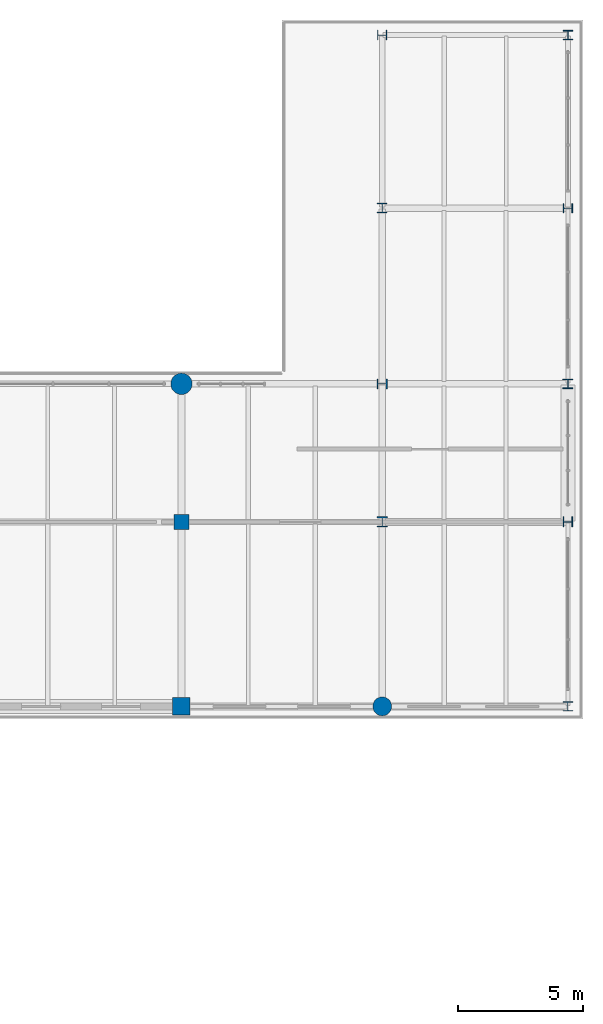
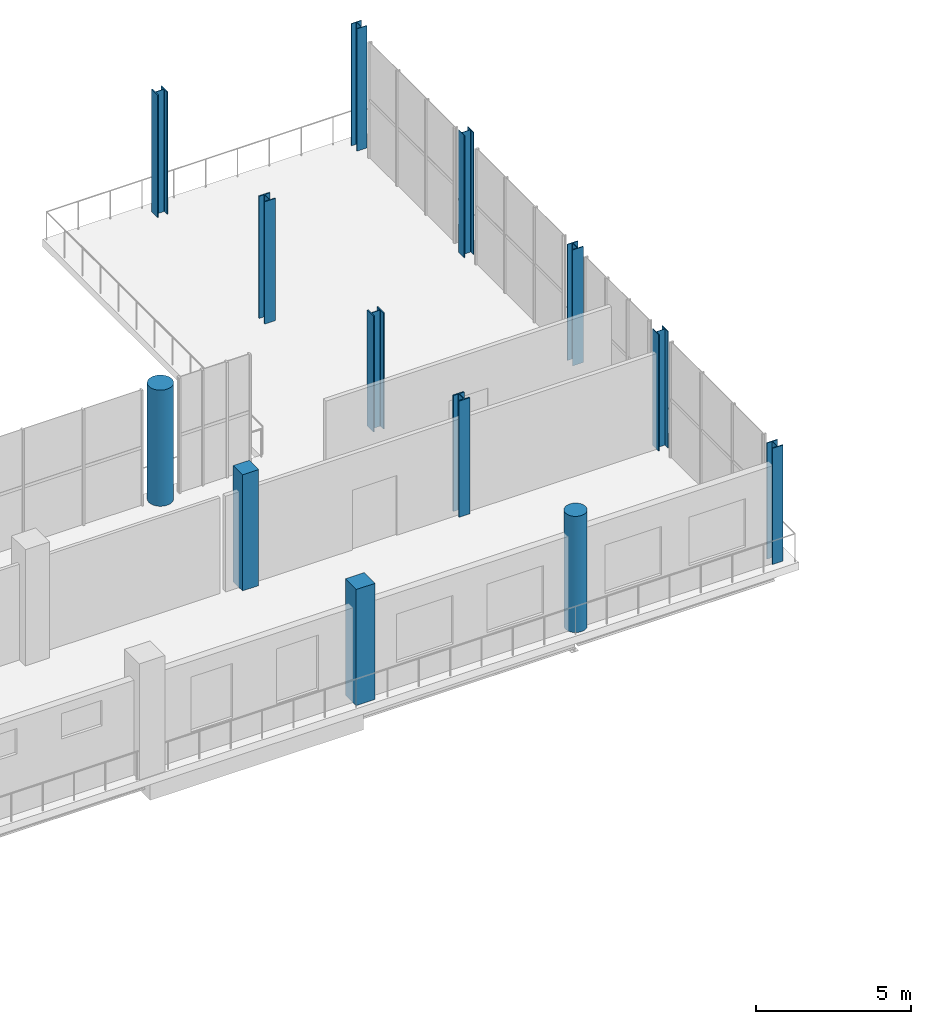
# One storey, part 19 of 70: 13 columns.
"""IFC4 building model written with IfcOpenShell, lengths in metres."""

from ifc_helpers import new_model, si_unit, direction, frame, origin, origin_2d, place, context, subcontext, project, spatial, rectangle, circle, i_section, extrude, material, material_profile, profile_set, type_object, element, save


model = new_model("IFC4")

# Units and contexts
model_context = context("Model", 3, precision=1e-05, world=origin(), true_north=direction((0.0, 1.0)))
body_context = subcontext(model_context, "Body", "Model", "MODEL_VIEW")
ifc_project = project(units=[si_unit("LENGTHUNIT", "METRE"), si_unit("AREAUNIT", "SQUARE_METRE"), si_unit("VOLUMEUNIT", "CUBIC_METRE"), si_unit("PLANEANGLEUNIT", "RADIAN"), si_unit("MASSUNIT", "GRAM", prefix="KILO")], contexts=[model_context])

# Site, building, storey
site_placement = place(None, origin())
site = spatial("IfcSite", under=ifc_project, at=site_placement, CompositionType="ELEMENT")
building_placement = place(site_placement, origin())
building = spatial("IfcBuilding", under=site, at=building_placement, Name="Brisemont Oceanarium", CompositionType="ELEMENT")
storey_placement = place(building_placement, frame((0.0, 0.0, 10.199951171875)))
storey = spatial("IfcBuildingStorey", under=building, at=storey_placement, Name="L02", CompositionType="ELEMENT", Elevation=10.199951171875)

# Columns
ifc_material_1 = material(Name="Concrete C35/45", Category="concrete")
ifc_material_profile_1 = material_profile(ifc_material_1, rectangle(XDim=0.60009765625, YDim=0.60009765625, at=origin_2d()), Name="RC-COL-600X600")
ifc_profile_set_1 = profile_set([ifc_material_profile_1], Name="Concrete C35/45")
column_type_1 = type_object("IfcColumnType", Name="COL-RC600", PredefinedType="COLUMN", material=ifc_profile_set_1)
column_1_placement = place(storey_placement, frame((144.0, 88.0, 0.0), z_axis=(0.0, 0.0, 1.0), x_axis=(0.0, 1.0, 0.0)))
element("IfcColumn", 1, at=column_1_placement, inside=storey, type_object=column_type_1, Name="V6 L02 column (4,1)", PredefinedType="COLUMN", context=body_context, shape_type="SweptSolid", body=[
    extrude(rectangle(XDim=0.60009765625, YDim=0.60009765625, at=origin_2d()), origin(), (0.0, 0.0, 1.0), 4.56005859375),
])
ifc_material_2 = material(Name="Concrete C35/45", Category="concrete")
ifc_material_profile_2 = material_profile(ifc_material_2, rectangle(XDim=0.699951171875, YDim=0.699951171875, at=origin_2d()), Name="RC-COL-700X700")
ifc_profile_set_2 = profile_set([ifc_material_profile_2], Name="Concrete C35/45")
column_type_2 = type_object("IfcColumnType", Name="COL-RC700", PredefinedType="COLUMN", material=ifc_profile_set_2)
column_2_placement = place(storey_placement, frame((144.0, 80.64990234375, 0.0), z_axis=(0.0, 0.0, 1.0), x_axis=(1.0, 0.0, 0.0)))
element("IfcColumn", 2, at=column_2_placement, inside=storey, type_object=column_type_2, Name="V6 L02 column (4,0)", PredefinedType="COLUMN", context=body_context, shape_type="SweptSolid", body=[
    extrude(rectangle(XDim=0.699951171875, YDim=0.699951171875, at=origin_2d()), origin(), (0.0, 0.0, 1.0), 4.56005859375),
])
ifc_material_3 = material(Name="Concrete C40/50", Category="concrete")
ifc_material_profile_3 = material_profile(ifc_material_3, circle(Radius=0.375, at=origin_2d()), Name="RC-COL-D750")
ifc_profile_set_3 = profile_set([ifc_material_profile_3], Name="Concrete C40/50")
column_type_3 = type_object("IfcColumnType", Name="COL-RCD750", PredefinedType="COLUMN", material=ifc_profile_set_3)
column_3_placement = place(storey_placement, frame((152.0, 80.64990234375, 0.0), z_axis=(0.0, 0.0, 1.0), x_axis=(0.0, 1.0, 0.0)))
element("IfcColumn", 3, at=column_3_placement, inside=storey, type_object=column_type_3, Name="V6 L02 column (5,0)", PredefinedType="COLUMN", context=body_context, shape_type="SweptSolid", body=[
    extrude(circle(Radius=0.375, at=origin_2d()), origin(), (0.0, 0.0, 1.0), 4.56005859375),
])
ifc_material_4 = material(Name="Concrete C40/50", Category="concrete")
ifc_material_profile_4 = material_profile(ifc_material_4, circle(Radius=0.425048828125, at=origin_2d()), Name="RC-COL-D850")
ifc_profile_set_4 = profile_set([ifc_material_profile_4], Name="Concrete C40/50")
column_type_4 = type_object("IfcColumnType", Name="COL-RCD850", PredefinedType="COLUMN", material=ifc_profile_set_4)
column_4_placement = place(storey_placement, frame((144.0, 93.5, 0.0), z_axis=(0.0, 0.0, 1.0), x_axis=(1.0, 0.0, 0.0)))
element("IfcColumn", 4, at=column_4_placement, inside=storey, type_object=column_type_4, Name="V6 L02 column (4,2)", PredefinedType="COLUMN", context=body_context, shape_type="SweptSolid", body=[
    extrude(circle(Radius=0.425048828125, at=origin_2d()), origin(), (0.0, 0.0, 1.0), 4.56005859375),
])
ifc_material_5 = material(Name="Structural Steel ASTM A992 Gr.50", Category="steel")
ifc_material_profile_5 = material_profile(ifc_material_5, i_section(OverallWidth=0.373046875, OverallDepth=0.367919921875, WebThickness=0.014892578125, FlangeThickness=0.02392578125, FilletRadius=0.014892578125, at=origin_2d()), Name="W14X120")
ifc_profile_set_5 = profile_set([ifc_material_profile_5], Name="Structural Steel ASTM A992 Gr.50")
column_type_5 = type_object("IfcColumnType", Name="COL-W14X120", PredefinedType="COLUMN", material=ifc_profile_set_5)
column_5_placement = place(storey_placement, frame((159.39990234375, 107.39990234375, 0.0), z_axis=(0.0, 0.0, 1.0), x_axis=(1.0, 0.0, 0.0)))
element("IfcColumn", 5, at=column_5_placement, inside=storey, type_object=column_type_5, Name="V6 L02 column (6,4)", PredefinedType="COLUMN", context=body_context, shape_type="SweptSolid", body=[
    extrude(i_section(OverallWidth=0.373046875, OverallDepth=0.367919921875, WebThickness=0.014892578125, FlangeThickness=0.02392578125, FilletRadius=0.014892578125, at=origin_2d()), origin(), (0.0, 0.0, 1.0), 4.800048828125),
])
ifc_material_6 = material(Name="Structural Steel ASTM A992 Gr.50", Category="steel")
ifc_material_profile_6 = material_profile(ifc_material_6, i_section(OverallWidth=0.3740234375, OverallDepth=0.3720703125, WebThickness=0.016357421875, FlangeThickness=0.026123046875, FilletRadius=0.014892578125, at=origin_2d()), Name="W14X132")
ifc_profile_set_6 = profile_set([ifc_material_profile_6], Name="Structural Steel ASTM A992 Gr.50")
column_type_6 = type_object("IfcColumnType", Name="COL-W14X132", PredefinedType="COLUMN", material=ifc_profile_set_6)
column_6_placement = place(storey_placement, frame((159.39990234375, 100.5, 0.0), z_axis=(0.0, 0.0, 1.0), x_axis=(0.0, 1.0, 0.0)))
element("IfcColumn", 6, at=column_6_placement, inside=storey, type_object=column_type_6, Name="V6 L02 column (6,3)", PredefinedType="COLUMN", context=body_context, shape_type="SweptSolid", body=[
    extrude(i_section(OverallWidth=0.3740234375, OverallDepth=0.3720703125, WebThickness=0.016357421875, FlangeThickness=0.026123046875, FilletRadius=0.014892578125, at=origin_2d()), origin(), (0.0, 0.0, 1.0), 4.800048828125),
])
ifc_material_7 = material(Name="Structural Steel ASTM A992 Gr.50", Category="steel")
ifc_material_profile_7 = material_profile(ifc_material_7, i_section(OverallWidth=0.39404296875, OverallDepth=0.3759765625, WebThickness=0.017333984375, FlangeThickness=0.027587890625, FilletRadius=0.014892578125, at=origin_2d()), Name="W14X145")
ifc_profile_set_7 = profile_set([ifc_material_profile_7], Name="Structural Steel ASTM A992 Gr.50")
column_type_7 = type_object("IfcColumnType", Name="COL-W14X145", PredefinedType="COLUMN", material=ifc_profile_set_7)
column_7_placement = place(storey_placement, frame((159.39990234375, 93.5, 0.0), z_axis=(0.0, 0.0, 1.0), x_axis=(1.0, 0.0, 0.0)))
element("IfcColumn", 7, at=column_7_placement, inside=storey, type_object=column_type_7, Name="V6 L02 column (6,2)", PredefinedType="COLUMN", context=body_context, shape_type="SweptSolid", body=[
    extrude(i_section(OverallWidth=0.39404296875, OverallDepth=0.3759765625, WebThickness=0.017333984375, FlangeThickness=0.027587890625, FilletRadius=0.014892578125, at=origin_2d()), origin(), (0.0, 0.0, 1.0), 4.56005859375),
])
ifc_material_8 = material(Name="Structural Steel ASTM A992 Gr.50", Category="steel")
ifc_material_profile_8 = material_profile(ifc_material_8, i_section(OverallWidth=0.39501953125, OverallDepth=0.3798828125, WebThickness=0.018798828125, FlangeThickness=0.0302734375, FilletRadius=0.014892578125, at=origin_2d()), Name="W14X159")
ifc_profile_set_8 = profile_set([ifc_material_profile_8], Name="Structural Steel ASTM A992 Gr.50")
column_type_8 = type_object("IfcColumnType", Name="COL-W14X159", PredefinedType="COLUMN", material=ifc_profile_set_8)
column_8_placement = place(storey_placement, frame((159.39990234375, 88.0, 0.0), z_axis=(0.0, 0.0, 1.0), x_axis=(0.0, 1.0, 0.0)))
element("IfcColumn", 8, at=column_8_placement, inside=storey, type_object=column_type_8, Name="V6 L02 column (6,1)", PredefinedType="COLUMN", context=body_context, shape_type="SweptSolid", body=[
    extrude(i_section(OverallWidth=0.39501953125, OverallDepth=0.3798828125, WebThickness=0.018798828125, FlangeThickness=0.0302734375, FilletRadius=0.014892578125, at=origin_2d()), origin(), (0.0, 0.0, 1.0), 4.56005859375),
])
ifc_material_9 = material(Name="Structural Steel ASTM A992 Gr.50", Category="steel")
ifc_material_profile_9 = material_profile(ifc_material_9, i_section(OverallWidth=0.39892578125, OverallDepth=0.385986328125, WebThickness=0.02099609375, FlangeThickness=0.033203125, FilletRadius=0.014892578125, at=origin_2d()), Name="W14X176")
ifc_profile_set_9 = profile_set([ifc_material_profile_9], Name="Structural Steel ASTM A992 Gr.50")
column_type_9 = type_object("IfcColumnType", Name="COL-W14X176", PredefinedType="COLUMN", material=ifc_profile_set_9)
column_9_placement = place(storey_placement, frame((159.39990234375, 80.64990234375, 0.0), z_axis=(0.0, 0.0, 1.0), x_axis=(1.0, 0.0, 0.0)))
element("IfcColumn", 9, at=column_9_placement, inside=storey, type_object=column_type_9, Name="V6 L02 column (6,0)", PredefinedType="COLUMN", context=body_context, shape_type="SweptSolid", body=[
    extrude(i_section(OverallWidth=0.39892578125, OverallDepth=0.385986328125, WebThickness=0.02099609375, FlangeThickness=0.033203125, FilletRadius=0.014892578125, at=origin_2d()), origin(), (0.0, 0.0, 1.0), 4.56005859375),
])
ifc_material_10 = material(Name="Structural Steel ASTM A992 Gr.50", Category="steel")
ifc_material_profile_10 = material_profile(ifc_material_10, i_section(OverallWidth=0.39990234375, OverallDepth=0.39306640625, WebThickness=0.022705078125, FlangeThickness=0.03662109375, FilletRadius=0.014892578125, at=origin_2d()), Name="W14X193")
ifc_profile_set_10 = profile_set([ifc_material_profile_10], Name="Structural Steel ASTM A992 Gr.50")
column_type_10 = type_object("IfcColumnType", Name="COL-W14X193", PredefinedType="COLUMN", material=ifc_profile_set_10)
column_10_placement = place(storey_placement, frame((152.0, 107.39990234375, 0.0), z_axis=(0.0, 0.0, 1.0), x_axis=(0.0, 1.0, 0.0)))
element("IfcColumn", 10, at=column_10_placement, inside=storey, type_object=column_type_10, Name="V6 L02 column (5,4)", PredefinedType="COLUMN", context=body_context, shape_type="SweptSolid", body=[
    extrude(i_section(OverallWidth=0.39990234375, OverallDepth=0.39306640625, WebThickness=0.022705078125, FlangeThickness=0.03662109375, FilletRadius=0.014892578125, at=origin_2d()), origin(), (0.0, 0.0, 1.0), 4.800048828125),
])
ifc_material_11 = material(Name="Structural Steel ASTM A992 Gr.50", Category="steel")
ifc_material_profile_11 = material_profile(ifc_material_11, i_section(OverallWidth=0.40087890625, OverallDepth=0.39892578125, WebThickness=0.02490234375, FlangeThickness=0.03955078125, FilletRadius=0.014892578125, at=origin_2d()), Name="W14X211")
ifc_profile_set_11 = profile_set([ifc_material_profile_11], Name="Structural Steel ASTM A992 Gr.50")
column_type_11 = type_object("IfcColumnType", Name="COL-W14X211", PredefinedType="COLUMN", material=ifc_profile_set_11)
column_11_placement = place(storey_placement, frame((152.0, 100.5, 0.0), z_axis=(0.0, 0.0, 1.0), x_axis=(1.0, 0.0, 0.0)))
element("IfcColumn", 11, at=column_11_placement, inside=storey, type_object=column_type_11, Name="V6 L02 column (5,3)", PredefinedType="COLUMN", context=body_context, shape_type="SweptSolid", body=[
    extrude(i_section(OverallWidth=0.40087890625, OverallDepth=0.39892578125, WebThickness=0.02490234375, FlangeThickness=0.03955078125, FilletRadius=0.014892578125, at=origin_2d()), origin(), (0.0, 0.0, 1.0), 4.800048828125),
])
ifc_material_12 = material(Name="Structural Steel ASTM A992 Gr.50", Category="steel")
ifc_material_profile_12 = material_profile(ifc_material_12, i_section(OverallWidth=0.404052734375, OverallDepth=0.406982421875, WebThickness=0.027099609375, FlangeThickness=0.043701171875, FilletRadius=0.014892578125, at=origin_2d()), Name="W14X233")
ifc_profile_set_12 = profile_set([ifc_material_profile_12], Name="Structural Steel ASTM A992 Gr.50")
column_type_12 = type_object("IfcColumnType", Name="COL-W14X233", PredefinedType="COLUMN", material=ifc_profile_set_12)
column_12_placement = place(storey_placement, frame((152.0, 93.5, 0.0), z_axis=(0.0, 0.0, 1.0), x_axis=(0.0, 1.0, 0.0)))
element("IfcColumn", 12, at=column_12_placement, inside=storey, type_object=column_type_12, Name="V6 L02 column (5,2)", PredefinedType="COLUMN", context=body_context, shape_type="SweptSolid", body=[
    extrude(i_section(OverallWidth=0.404052734375, OverallDepth=0.406982421875, WebThickness=0.027099609375, FlangeThickness=0.043701171875, FilletRadius=0.014892578125, at=origin_2d()), origin(), (0.0, 0.0, 1.0), 4.56005859375),
])
ifc_material_13 = material(Name="Structural Steel ASTM A992 Gr.50", Category="steel")
ifc_material_profile_13 = material_profile(ifc_material_13, i_section(OverallWidth=0.406005859375, OverallDepth=0.416015625, WebThickness=0.02978515625, FlangeThickness=0.048095703125, FilletRadius=0.014892578125, at=origin_2d()), Name="W14X257")
ifc_profile_set_13 = profile_set([ifc_material_profile_13], Name="Structural Steel ASTM A992 Gr.50")
column_type_13 = type_object("IfcColumnType", Name="COL-W14X257", PredefinedType="COLUMN", material=ifc_profile_set_13)
column_13_placement = place(storey_placement, frame((152.0, 88.0, 0.0), z_axis=(0.0, 0.0, 1.0), x_axis=(1.0, 0.0, 0.0)))
element("IfcColumn", 13, at=column_13_placement, inside=storey, type_object=column_type_13, Name="V6 L02 column (5,1)", PredefinedType="COLUMN", context=body_context, shape_type="SweptSolid", body=[
    extrude(i_section(OverallWidth=0.406005859375, OverallDepth=0.416015625, WebThickness=0.02978515625, FlangeThickness=0.048095703125, FilletRadius=0.014892578125, at=origin_2d()), origin(), (0.0, 0.0, 1.0), 4.56005859375),
])

save(model, "model.ifc")
